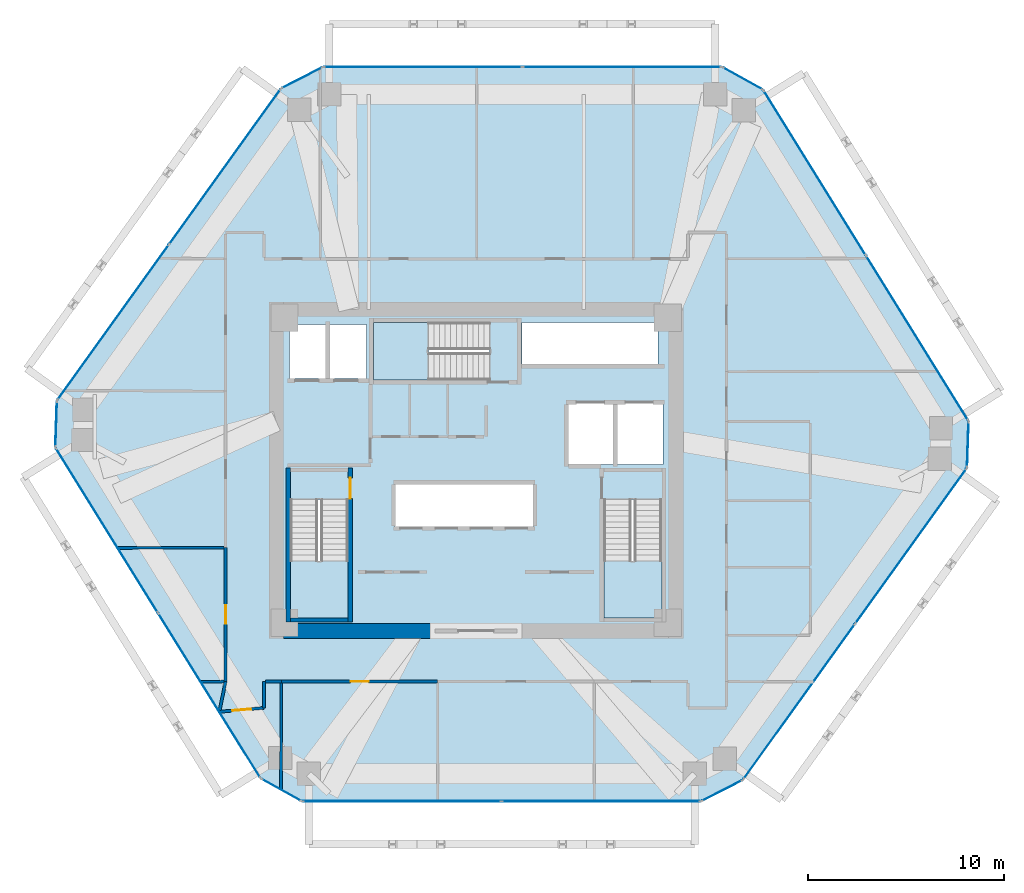
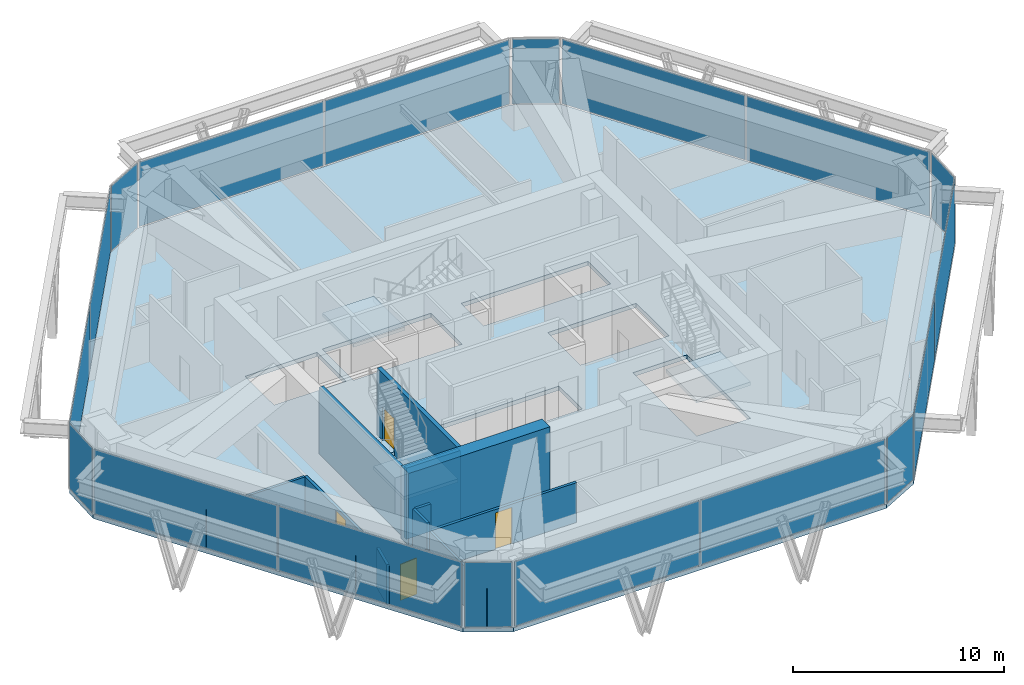
# One storey, part 9 of 14: 18 plates, 13 walls, 4 doors, 4 slabs, 4 openings, 15 elements without a shape of their own.
"""IFC4 building model written with IfcOpenShell, lengths in metres."""

from ifc_helpers import new_model, si_unit, direction, frame, frame_2d, origin, origin_2d, place, context, subcontext, project, spatial, polyline, rectangle, outline, extrude, source, transform, mapped, material, layer, layer_set, type_object, type_shapes, element, fill, aggregate, save


model = new_model("IFC4")

# Units and contexts
model_context = context("Model", 3, precision=1e-05, world=origin(), true_north=direction((0.0, 1.0)))
body_context = subcontext(model_context, "Body", "Model", "MODEL_VIEW")
ifc_project = project(units=[si_unit("LENGTHUNIT", "METRE"), si_unit("AREAUNIT", "SQUARE_METRE"), si_unit("VOLUMEUNIT", "CUBIC_METRE"), si_unit("PLANEANGLEUNIT", "RADIAN"), si_unit("MASSUNIT", "GRAM", prefix="KILO")], contexts=[model_context])

# Site, building, storey
site_placement = place(None, origin())
site = spatial("IfcSite", under=ifc_project, at=site_placement, CompositionType="ELEMENT")
building_placement = place(site_placement, origin())
building = spatial("IfcBuilding", under=site, at=building_placement, Name="Durnholm Broadcast Tower", CompositionType="ELEMENT")
storey_placement = place(building_placement, frame((0.0, 0.0, 146.10009765625)))
storey = spatial("IfcBuildingStorey", under=building, at=storey_placement, Name="L40", CompositionType="ELEMENT", Elevation=146.10009765625)

# Slab
ifc_material_1 = material(Name="Concrete C50/60", Category="concrete")
ifc_layer_1 = layer(ifc_material_1, 0.239990234375)
ifc_layer_set_1 = layer_set([ifc_layer_1], Name="Concrete C50/60")
slab_type_1 = type_object("IfcSlabType", Name="SLAB-FLR-240", PredefinedType="FLOOR", material=ifc_layer_set_1)
slab_1_placement = place(storey_placement, frame((0.0, 0.0, -0.239990234375)))
element("IfcSlab", 1, at=slab_1_placement, inside=storey, type_object=slab_type_1, Name="L40 structural floor slab", PredefinedType="FLOOR", context=body_context, shape_type="SweptSolid", body=[
    extrude(outline(polyline([(-11.012451171875, -15.77001953125), (-8.915283203125, -16.93701171875), (11.51416015625, -16.93701171875), (13.649658203125, -15.841796875), (25.11279296875, 0.114990234375), (25.1943359375, 2.513671875), (14.6904296875, 19.447998046875), (12.59326171875, 20.614990234375), (-7.836181640625, 20.614990234375), (-9.9716796875, 19.519775390625), (-21.434814453125, 3.56298828125), (-21.516357421875, 1.164306640625), (-11.012451171875, -15.77001953125)]), holes=[polyline([(-6.5400390625, -1.5), (-9.5, -1.5), (-9.5, -7.550048828125), (-6.5400390625, -7.550048828125), (-6.5400390625, -1.5)]), polyline([(9.5, -7.550048828125), (9.5, -1.5), (6.5400390625, -1.5), (6.5400390625, -7.550048828125), (9.5, -7.550048828125)]), polyline([(2.949951171875, -0.699951171875), (-4.14990234375, -0.699951171875), (-4.14990234375, -2.89990234375), (2.949951171875, -2.89990234375), (2.949951171875, -0.699951171875)]), polyline([(9.550048828125, 3.39990234375), (4.699951171875, 3.39990234375), (4.699951171875, 0.300048828125), (9.550048828125, 0.300048828125), (9.550048828125, 3.39990234375)]), polyline([(-5.60009765625, 7.449951171875), (-9.550048828125, 7.449951171875), (-9.550048828125, 4.699951171875), (-5.60009765625, 4.699951171875), (-5.60009765625, 7.449951171875)]), polyline([(-5.25, 4.60009765625), (0.699951171875, 4.60009765625), (0.699951171875, 7.56005859375), (-5.25, 7.56005859375), (-5.25, 4.60009765625)]), polyline([(9.31005859375, 7.550048828125), (2.35009765625, 7.550048828125), (2.35009765625, 5.39990234375), (9.31005859375, 5.39990234375), (9.31005859375, 7.550048828125)])]), origin(), (0.0, 0.0, 1.0), 0.239990234375),
])

# Stair, slab
stair_type = type_object("IfcStairType", Name="STAIR-DL-24R1750", PredefinedType="HALF_TURN_STAIR", material=ifc_material_1)
stair_1_placement = place(storey_placement, origin())
stair_1 = element("IfcStair", 2, at=stair_1_placement, inside=storey, type_object=stair_type, Name="L40 ST-1", PredefinedType="HALF_TURN_STAIR")
ifc_layer_2 = layer(ifc_material_1, 0.199951171875)
ifc_layer_set_2 = layer_set([ifc_layer_2], Name="Concrete C50/60")
slab_type_2 = type_object("IfcSlabType", Name="SLAB-LND-200", PredefinedType="LANDING", material=ifc_layer_set_2)
slab_2_placement = place(storey_placement, frame((0.0, 0.0, 1.89990234375)))
slab_2 = element("IfcSlab", 3, at=slab_2_placement, type_object=slab_type_2, Name="ST-1 landing 1", PredefinedType="LANDING", context=body_context, shape_type="SweptSolid", body=[
    extrude(outline(polyline([(-9.5, -4.635009765625), (-9.5, -7.550048828125), (-6.5400390625, -7.550048828125), (-6.5400390625, -4.635009765625), (-9.5, -4.635009765625)])), origin(), (0.0, 0.0, 1.0), 0.199951171875),
])
aggregate(stair_1, [slab_2])

stair_2_placement = place(storey_placement, origin())
stair_2 = element("IfcStair", 4, at=stair_2_placement, inside=storey, type_object=stair_type, Name="L40 ST-2", PredefinedType="HALF_TURN_STAIR")
slab_3_placement = place(storey_placement, frame((0.0, 0.0, 1.89990234375)))
slab_3 = element("IfcSlab", 5, at=slab_3_placement, type_object=slab_type_2, Name="ST-2 landing 1", PredefinedType="LANDING", context=body_context, shape_type="SweptSolid", body=[
    extrude(outline(polyline([(6.5400390625, -4.635009765625), (6.5400390625, -7.550048828125), (9.5, -7.550048828125), (9.5, -4.635009765625), (6.5400390625, -4.635009765625)])), origin(), (0.0, 0.0, 1.0), 0.199951171875),
])
aggregate(stair_2, [slab_3])

stair_3_placement = place(storey_placement, origin())
stair_3 = element("IfcStair", 6, at=stair_3_placement, inside=storey, type_object=stair_type, Name="L40 ST-3", PredefinedType="HALF_TURN_STAIR")
slab_4_placement = place(storey_placement, frame((0.0, 0.0, 1.89990234375)))
slab_4 = element("IfcSlab", 7, at=slab_4_placement, type_object=slab_type_2, Name="ST-3 landing 1", PredefinedType="LANDING", context=body_context, shape_type="SweptSolid", body=[
    extrude(outline(polyline([(-2.43505859375, 7.56005859375), (-5.25, 7.56005859375), (-5.25, 4.60009765625), (-2.43505859375, 4.60009765625), (-2.43505859375, 7.56005859375)])), origin(), (0.0, 0.0, 1.0), 0.199951171875),
])
aggregate(stair_3, [slab_4])

# Curtain wall, plate
ifc_material_2 = material(Name="Aluminium and Solar Control IGU", Category="aluminium")
ifc_layer_3 = layer(ifc_material_2, 0.1650390625)
ifc_layer_set_3 = layer_set([ifc_layer_3], Name="Aluminium and Solar Control IGU")
curtain_wall_type_1 = type_object("IfcCurtainWallType", Name="CW-SYS-5", PredefinedType="NOTDEFINED", material=ifc_layer_set_3)
curtain_wall_1_placement = place(storey_placement, origin())
curtain_wall_1 = element("IfcCurtainWall", 8, at=curtain_wall_1_placement, inside=storey, type_object=curtain_wall_type_1, Name="L40 curtain wall CW-CORNER CW-L40-CRN-01", PredefinedType="NOTDEFINED")
ifc_material_3 = material(Name="Low-E Laminated Insulating Glass", Category="glass")
ifc_layer_4 = layer(ifc_material_3, 0.030029296875)
ifc_layer_set_4 = layer_set([ifc_layer_4], Name="Low-E Laminated Insulating Glass")
plate_type_1 = type_object("IfcPlateType", Name="CW-SYS-5-PNL", PredefinedType="CURTAIN_PANEL", material=ifc_layer_set_4)
shared_shape_1 = source(origin(), body_context, "Body", "SweptSolid", [
    extrude(rectangle(XDim=2.27001953125, YDim=0.030029296875, at=origin_2d()), origin(), (0.0, 0.0, 1.0), 3.75),
])
type_shapes(plate_type_1, [shared_shape_1])
plate_1_placement = place(storey_placement, frame((-21.4755859375, 2.36376953125, 0.06494140625), z_axis=(0.0, 0.0, 1.0), x_axis=(0.033916937775, 0.999424655155, 0.0)))
plate_1 = element("IfcPlate", 9, at=plate_1_placement, type_object=plate_type_1, Name="CW-CORNER panel 1.1", PredefinedType="CURTAIN_PANEL", context=body_context, shape_type="MappedRepresentation", body=[
    mapped(shared_shape_1, transform((0.0, 0.0, 0.0), x_axis=(1.0, 0.0, 0.0), y_axis=(0.0, 1.0, 0.0), z_axis=(0.0, 0.0, 1.0), scale=1.0)),
])
aggregate(curtain_wall_1, [plate_1])

curtain_wall_2_placement = place(storey_placement, origin())
curtain_wall_2 = element("IfcCurtainWall", 10, at=curtain_wall_2_placement, inside=storey, type_object=curtain_wall_type_1, Name="L40 curtain wall CW-CORNER CW-L40-CRN-03", PredefinedType="NOTDEFINED")
plate_2_placement = place(storey_placement, frame((-8.904052734375, 20.0673828125, 0.06494140625), z_axis=(0.0, 0.0, 1.0), x_axis=(0.889788396392, 0.45637332267, 0.0)))
plate_2 = element("IfcPlate", 11, at=plate_2_placement, type_object=plate_type_1, Name="CW-CORNER panel 1.1", PredefinedType="CURTAIN_PANEL", context=body_context, shape_type="MappedRepresentation", body=[
    mapped(shared_shape_1, transform((0.0, 0.0, 0.0), x_axis=(1.0, 0.0, 0.0), y_axis=(0.0, 1.0, 0.0), z_axis=(0.0, 0.0, 1.0), scale=1.0)),
])
aggregate(curtain_wall_2, [plate_2])

curtain_wall_3_placement = place(storey_placement, origin())
curtain_wall_3 = element("IfcCurtainWall", 12, at=curtain_wall_3_placement, inside=storey, type_object=curtain_wall_type_1, Name="L40 curtain wall CW-CORNER CW-L40-CRN-05", PredefinedType="NOTDEFINED")
plate_3_placement = place(storey_placement, frame((13.641845703125, 20.031494140625, 0.06494140625), z_axis=(0.0, 0.0, 1.0), x_axis=(0.873822953715, -0.486244224192, 0.0)))
plate_3 = element("IfcPlate", 13, at=plate_3_placement, type_object=plate_type_1, Name="CW-CORNER panel 1.1", PredefinedType="CURTAIN_PANEL", context=body_context, shape_type="MappedRepresentation", body=[
    mapped(shared_shape_1, transform((0.0, 0.0, 0.0), x_axis=(1.0, 0.0, 0.0), y_axis=(0.0, 1.0, 0.0), z_axis=(0.0, 0.0, 1.0), scale=1.0)),
])
aggregate(curtain_wall_3, [plate_3])

curtain_wall_4_placement = place(storey_placement, origin())
curtain_wall_4 = element("IfcCurtainWall", 14, at=curtain_wall_4_placement, inside=storey, type_object=curtain_wall_type_1, Name="L40 curtain wall CW-CORNER CW-L40-CRN-07", PredefinedType="NOTDEFINED")
plate_4_placement = place(storey_placement, frame((25.153564453125, 1.314208984375, 0.06494140625), z_axis=(0.0, 0.0, 1.0), x_axis=(-0.033916937775, -0.999424655155, 0.0)))
plate_4 = element("IfcPlate", 15, at=plate_4_placement, type_object=plate_type_1, Name="CW-CORNER panel 1.1", PredefinedType="CURTAIN_PANEL", context=body_context, shape_type="MappedRepresentation", body=[
    mapped(shared_shape_1, transform((0.0, 0.0, 0.0), x_axis=(1.0, 0.0, 0.0), y_axis=(0.0, 1.0, 0.0), z_axis=(0.0, 0.0, 1.0), scale=1.0)),
])
aggregate(curtain_wall_4, [plate_4])

curtain_wall_5_placement = place(storey_placement, origin())
curtain_wall_5 = element("IfcCurtainWall", 16, at=curtain_wall_5_placement, inside=storey, type_object=curtain_wall_type_1, Name="L40 curtain wall CW-CORNER CW-L40-CRN-09", PredefinedType="NOTDEFINED")
plate_5_placement = place(storey_placement, frame((12.58203125, -16.389404296875, 0.06494140625), z_axis=(0.0, 0.0, 1.0), x_axis=(-0.889788396392, -0.45637332267, 0.0)))
plate_5 = element("IfcPlate", 17, at=plate_5_placement, type_object=plate_type_1, Name="CW-CORNER panel 1.1", PredefinedType="CURTAIN_PANEL", context=body_context, shape_type="MappedRepresentation", body=[
    mapped(shared_shape_1, transform((0.0, 0.0, 0.0), x_axis=(1.0, 0.0, 0.0), y_axis=(0.0, 1.0, 0.0), z_axis=(0.0, 0.0, 1.0), scale=1.0)),
])
aggregate(curtain_wall_5, [plate_5])

curtain_wall_6_placement = place(storey_placement, origin())
curtain_wall_6 = element("IfcCurtainWall", 18, at=curtain_wall_6_placement, inside=storey, type_object=curtain_wall_type_1, Name="L40 curtain wall CW-CORNER CW-L40-CRN-11", PredefinedType="NOTDEFINED")
plate_6_placement = place(storey_placement, frame((-9.9638671875, -16.353515625, 0.06494140625), z_axis=(0.0, 0.0, 1.0), x_axis=(-0.873822953715, 0.486244224192, 0.0)))
plate_6 = element("IfcPlate", 19, at=plate_6_placement, type_object=plate_type_1, Name="CW-CORNER panel 1.1", PredefinedType="CURTAIN_PANEL", context=body_context, shape_type="MappedRepresentation", body=[
    mapped(shared_shape_1, transform((0.0, 0.0, 0.0), x_axis=(1.0, 0.0, 0.0), y_axis=(0.0, 1.0, 0.0), z_axis=(0.0, 0.0, 1.0), scale=1.0)),
])
aggregate(curtain_wall_6, [plate_6])

# Curtain wall, plates
ifc_layer_5 = layer(ifc_material_2, 0.18994140625)
ifc_layer_set_5 = layer_set([ifc_layer_5], Name="Aluminium and Solar Control IGU")
curtain_wall_type_2 = type_object("IfcCurtainWallType", Name="CW-SYS-3", PredefinedType="NOTDEFINED", material=ifc_layer_set_5)
curtain_wall_7_placement = place(storey_placement, origin())
curtain_wall_7 = element("IfcCurtainWall", 20, at=curtain_wall_7_placement, inside=storey, type_object=curtain_wall_type_2, Name="L40 curtain wall CW-Z12-VIS CW-L40-F02", PredefinedType="NOTDEFINED")
ifc_layer_6 = layer(ifc_material_3, 0.031982421875)
ifc_layer_set_6 = layer_set([ifc_layer_6], Name="Low-E Laminated Insulating Glass")
plate_type_2 = type_object("IfcPlateType", Name="CW-SYS-3-PNL", PredefinedType="CURTAIN_PANEL", material=ifc_layer_set_6)
shared_shape_2 = source(origin(), body_context, "Body", "SweptSolid", [
    extrude(rectangle(XDim=9.71875, YDim=0.031982421875, at=origin_2d()), origin(), (0.0, 0.0, 1.0), 3.739990234375),
])
plate_7_placement = place(storey_placement, frame((-18.558837890625, 7.56640625, 0.06982421875), z_axis=(0.0, 0.0, 1.0), x_axis=(0.583445473786, 0.812152312759, 0.0)))
plate_7 = element("IfcPlate", 21, at=plate_7_placement, type_object=plate_type_2, Name="CW-Z12-VIS panel 1.1", PredefinedType="CURTAIN_PANEL", context=body_context, shape_type="MappedRepresentation", body=[
    mapped(shared_shape_2, transform((0.0, 0.0, 0.0), x_axis=(1.0, 0.0, 0.0), y_axis=(0.0, 1.0, 0.0), z_axis=(0.0, 0.0, 1.0), scale=1.0)),
])
plate_8_placement = place(storey_placement, frame((-12.84765625, 15.516357421875, 0.06982421875), z_axis=(0.0, 0.0, 1.0), x_axis=(0.583445473786, 0.812152312759, 0.0)))
plate_8 = element("IfcPlate", 22, at=plate_8_placement, type_object=plate_type_2, Name="CW-Z12-VIS panel 2.1", PredefinedType="CURTAIN_PANEL", context=body_context, shape_type="MappedRepresentation", body=[
    mapped(shared_shape_2, transform((0.0, 0.0, 0.0), x_axis=(1.0, 0.0, 0.0), y_axis=(0.0, 1.0, 0.0), z_axis=(0.0, 0.0, 1.0), scale=1.0)),
])
aggregate(curtain_wall_7, [plate_7, plate_8])

curtain_wall_8_placement = place(storey_placement, origin())
curtain_wall_8 = element("IfcCurtainWall", 23, at=curtain_wall_8_placement, inside=storey, type_object=curtain_wall_type_2, Name="L40 curtain wall CW-Z12-VIS CW-L40-F08", PredefinedType="NOTDEFINED")
plate_9_placement = place(storey_placement, frame((22.23681640625, -3.888427734375, 0.06982421875), z_axis=(0.0, 0.0, 1.0), x_axis=(-0.583445473786, -0.812152312759, 0.0)))
plate_9 = element("IfcPlate", 24, at=plate_9_placement, type_object=plate_type_2, Name="CW-Z12-VIS panel 1.1", PredefinedType="CURTAIN_PANEL", context=body_context, shape_type="MappedRepresentation", body=[
    mapped(shared_shape_2, transform((0.0, 0.0, 0.0), x_axis=(1.0, 0.0, 0.0), y_axis=(0.0, 1.0, 0.0), z_axis=(0.0, 0.0, 1.0), scale=1.0)),
])
plate_10_placement = place(storey_placement, frame((16.525634765625, -11.83837890625, 0.06982421875), z_axis=(0.0, 0.0, 1.0), x_axis=(-0.583445473786, -0.812152312759, 0.0)))
plate_10 = element("IfcPlate", 25, at=plate_10_placement, type_object=plate_type_2, Name="CW-Z12-VIS panel 2.1", PredefinedType="CURTAIN_PANEL", context=body_context, shape_type="MappedRepresentation", body=[
    mapped(shared_shape_2, transform((0.0, 0.0, 0.0), x_axis=(1.0, 0.0, 0.0), y_axis=(0.0, 1.0, 0.0), z_axis=(0.0, 0.0, 1.0), scale=1.0)),
])
aggregate(curtain_wall_8, [plate_9, plate_10])

curtain_wall_9_placement = place(storey_placement, origin())
curtain_wall_9 = element("IfcCurtainWall", 26, at=curtain_wall_9_placement, inside=storey, type_object=curtain_wall_type_2, Name="L40 curtain wall CW-Z12-VIS CW-L40-F04", PredefinedType="NOTDEFINED")
shared_shape_3 = source(origin(), body_context, "Body", "SweptSolid", [
    extrude(rectangle(XDim=10.109619140625, YDim=0.031982421875, at=origin_2d()), origin(), (0.0, 0.0, 1.0), 3.739990234375),
])
plate_11_placement = place(storey_placement, frame((-2.71142578125, 20.614990234375, 0.06982421875), z_axis=(0.0, 0.0, 1.0), x_axis=(1.0, 0.0, 0.0)))
plate_11 = element("IfcPlate", 27, at=plate_11_placement, type_object=plate_type_2, Name="CW-Z12-VIS panel 1.1", PredefinedType="CURTAIN_PANEL", context=body_context, shape_type="MappedRepresentation", body=[
    mapped(shared_shape_3, transform((0.0, 0.0, 0.0), x_axis=(1.0, 0.0, 0.0), y_axis=(0.0, 1.0, 0.0), z_axis=(0.0, 0.0, 1.0), scale=1.0)),
])
plate_12_placement = place(storey_placement, frame((7.46826171875, 20.614990234375, 0.06982421875), z_axis=(0.0, 0.0, 1.0), x_axis=(1.0, 0.0, 0.0)))
plate_12 = element("IfcPlate", 28, at=plate_12_placement, type_object=plate_type_2, Name="CW-Z12-VIS panel 2.1", PredefinedType="CURTAIN_PANEL", context=body_context, shape_type="MappedRepresentation", body=[
    mapped(shared_shape_3, transform((0.0, 0.0, 0.0), x_axis=(1.0, 0.0, 0.0), y_axis=(0.0, 1.0, 0.0), z_axis=(0.0, 0.0, 1.0), scale=1.0)),
])
aggregate(curtain_wall_9, [plate_11, plate_12])

curtain_wall_10_placement = place(storey_placement, origin())
curtain_wall_10 = element("IfcCurtainWall", 29, at=curtain_wall_10_placement, inside=storey, type_object=curtain_wall_type_2, Name="L40 curtain wall CW-Z12-VIS CW-L40-F10", PredefinedType="NOTDEFINED")
plate_13_placement = place(storey_placement, frame((6.389404296875, -16.93701171875, 0.06982421875), z_axis=(0.0, 0.0, 1.0), x_axis=(-1.0, 0.0, 0.0)))
plate_13 = element("IfcPlate", 30, at=plate_13_placement, type_object=plate_type_2, Name="CW-Z12-VIS panel 1.1", PredefinedType="CURTAIN_PANEL", context=body_context, shape_type="MappedRepresentation", body=[
    mapped(shared_shape_3, transform((0.0, 0.0, 0.0), x_axis=(1.0, 0.0, 0.0), y_axis=(0.0, 1.0, 0.0), z_axis=(0.0, 0.0, 1.0), scale=1.0)),
])
plate_14_placement = place(storey_placement, frame((-3.790283203125, -16.93701171875, 0.06982421875), z_axis=(0.0, 0.0, 1.0), x_axis=(-1.0, 0.0, 0.0)))
plate_14 = element("IfcPlate", 31, at=plate_14_placement, type_object=plate_type_2, Name="CW-Z12-VIS panel 2.1", PredefinedType="CURTAIN_PANEL", context=body_context, shape_type="MappedRepresentation", body=[
    mapped(shared_shape_3, transform((0.0, 0.0, 0.0), x_axis=(1.0, 0.0, 0.0), y_axis=(0.0, 1.0, 0.0), z_axis=(0.0, 0.0, 1.0), scale=1.0)),
])
aggregate(curtain_wall_10, [plate_13, plate_14])

curtain_wall_11_placement = place(storey_placement, origin())
curtain_wall_11 = element("IfcCurtainWall", 32, at=curtain_wall_11_placement, inside=storey, type_object=curtain_wall_type_2, Name="L40 curtain wall CW-Z12-VIS CW-L40-F06", PredefinedType="NOTDEFINED")
shared_shape_4 = source(origin(), body_context, "Body", "SweptSolid", [
    extrude(rectangle(XDim=9.858642578125, YDim=0.031982421875, at=origin_2d()), origin(), (0.0, 0.0, 1.0), 3.739990234375),
])
type_shapes(plate_type_2, [shared_shape_2, shared_shape_3, shared_shape_4])
plate_15_placement = place(storey_placement, frame((17.32568359375, 15.199462890625, 0.06982421875), z_axis=(0.0, 0.0, 1.0), x_axis=(0.527105385176, -0.849799925229, 0.0)))
plate_15 = element("IfcPlate", 33, at=plate_15_placement, type_object=plate_type_2, Name="CW-Z12-VIS panel 1.1", PredefinedType="CURTAIN_PANEL", context=body_context, shape_type="MappedRepresentation", body=[
    mapped(shared_shape_4, transform((0.0, 0.0, 0.0), x_axis=(1.0, 0.0, 0.0), y_axis=(0.0, 1.0, 0.0), z_axis=(0.0, 0.0, 1.0), scale=1.0)),
])
plate_16_placement = place(storey_placement, frame((22.55908203125, 6.761962890625, 0.06982421875), z_axis=(0.0, 0.0, 1.0), x_axis=(0.527105385176, -0.849799925229, 0.0)))
plate_16 = element("IfcPlate", 34, at=plate_16_placement, type_object=plate_type_2, Name="CW-Z12-VIS panel 2.1", PredefinedType="CURTAIN_PANEL", context=body_context, shape_type="MappedRepresentation", body=[
    mapped(shared_shape_4, transform((0.0, 0.0, 0.0), x_axis=(1.0, 0.0, 0.0), y_axis=(0.0, 1.0, 0.0), z_axis=(0.0, 0.0, 1.0), scale=1.0)),
])
aggregate(curtain_wall_11, [plate_15, plate_16])

curtain_wall_12_placement = place(storey_placement, origin())
curtain_wall_12 = element("IfcCurtainWall", 35, at=curtain_wall_12_placement, inside=storey, type_object=curtain_wall_type_2, Name="L40 curtain wall CW-Z12-VIS CW-L40-F12", PredefinedType="NOTDEFINED")
plate_17_placement = place(storey_placement, frame((-13.647705078125, -11.521484375, 0.06982421875), z_axis=(0.0, 0.0, 1.0), x_axis=(-0.527105385176, 0.849799925229, 0.0)))
plate_17 = element("IfcPlate", 36, at=plate_17_placement, type_object=plate_type_2, Name="CW-Z12-VIS panel 1.1", PredefinedType="CURTAIN_PANEL", context=body_context, shape_type="MappedRepresentation", body=[
    mapped(shared_shape_4, transform((0.0, 0.0, 0.0), x_axis=(1.0, 0.0, 0.0), y_axis=(0.0, 1.0, 0.0), z_axis=(0.0, 0.0, 1.0), scale=1.0)),
])
plate_18_placement = place(storey_placement, frame((-18.881103515625, -3.083984375, 0.06982421875), z_axis=(0.0, 0.0, 1.0), x_axis=(-0.527105385176, 0.849799925229, 0.0)))
plate_18 = element("IfcPlate", 37, at=plate_18_placement, type_object=plate_type_2, Name="CW-Z12-VIS panel 2.1", PredefinedType="CURTAIN_PANEL", context=body_context, shape_type="MappedRepresentation", body=[
    mapped(shared_shape_4, transform((0.0, 0.0, 0.0), x_axis=(1.0, 0.0, 0.0), y_axis=(0.0, 1.0, 0.0), z_axis=(0.0, 0.0, 1.0), scale=1.0)),
])
aggregate(curtain_wall_12, [plate_17, plate_18])

# Walls
ifc_material_4 = material(Name="Concrete C70/85", Category="concrete")
ifc_layer_7 = layer(ifc_material_4, 0.75)
ifc_layer_set_7 = layer_set([ifc_layer_7], Name="Concrete C70/85")
wall_type_1 = type_object("IfcWallType", Name="WALL-CW-750", PredefinedType="SHEAR", material=ifc_layer_set_7)
wall_1_placement = place(storey_placement, frame((-9.85009765625, -8.22509765625, 0.0), z_axis=(0.0, 0.0, 1.0), x_axis=(1.0, 0.0, 0.0)))
element("IfcWall", 38, at=wall_1_placement, inside=storey, type_object=wall_type_1, Name="L40 central core shear wall CW-S1", PredefinedType="SHEAR", context=body_context, shape_type="SweptSolid", body=[
    extrude(rectangle(XDim=7.75, YDim=0.75, at=frame_2d((3.875, 0.0))), origin(), (0.0, 0.0, 1.0), 4.199951171875),
])
ifc_material_5 = material(Name="Gypsum Metal Stud Partition", Category="concrete")
ifc_layer_8 = layer(ifc_material_5, 0.135009765625)
ifc_layer_set_8 = layer_set([ifc_layer_8], Name="Gypsum Metal Stud Partition")
wall_type_2 = type_object("IfcWallType", Name="WALL-PART-135", PredefinedType="PARTITIONING", material=ifc_layer_set_8)
wall_2_placement = place(storey_placement, frame((-9.960205078125, -10.888916015625, 0.0), z_axis=(0.0, 0.0, 1.0), x_axis=(-0.003535128042, -0.999993751415, 0.0)))
element("IfcWall", 39, at=wall_2_placement, inside=storey, type_object=wall_type_2, Name="L40 room dividing partition 14.15", PredefinedType="PARTITIONING", context=body_context, shape_type="SweptSolid", body=[
    extrude(rectangle(XDim=5.455810546875, YDim=0.135009765625, at=frame_2d((2.72802734375, 0.0))), origin(), (0.0, 0.0, 1.0), 2.2998046875),
])
wall_3_placement = place(storey_placement, frame((-14.075927734375, -10.8310546875, 0.0), z_axis=(0.0, 0.0, 1.0), x_axis=(0.999860796611, 0.016684945308, 0.0)))
element("IfcWall", 40, at=wall_3_placement, inside=storey, type_object=wall_type_2, Name="L40 room dividing partition 14.18", PredefinedType="PARTITIONING", context=body_context, shape_type="SweptSolid", body=[
    extrude(rectangle(XDim=1.185302734375, YDim=0.135009765625, at=frame_2d((0.5927734375, 0.0))), origin(), (0.0, 0.0, 1.0), 2.2998046875),
])
wall_4_placement = place(storey_placement, frame((-18.32470703125, -3.981201171875, 0.0), z_axis=(0.0, 0.0, 1.0), x_axis=(0.999992540381, 0.00386253575, 0.0)))
element("IfcWall", 41, at=wall_4_placement, inside=storey, type_object=wall_type_2, Name="L40 room dividing partition 18.19", PredefinedType="PARTITIONING", context=body_context, shape_type="SweptSolid", body=[
    extrude(rectangle(XDim=5.435791015625, YDim=0.135009765625, at=frame_2d((2.7177734375, 0.0))), origin(), (0.0, 0.0, 1.0), 2.2998046875),
])

# Wall, opening, door
ifc_material_6 = material(Name="Acoustic Gypsum Stud Partition", Category="concrete")
ifc_layer_9 = layer(ifc_material_6, 0.14990234375)
ifc_layer_set_9 = layer_set([ifc_layer_9], Name="Acoustic Gypsum Stud Partition")
wall_type_3 = type_object("IfcWallType", Name="WALL-PART-150", PredefinedType="PARTITIONING", material=ifc_layer_set_9)
wall_5_placement = place(storey_placement, frame((-13.12890625, -12.35791015625, 0.0), z_axis=(0.0, 0.0, 1.0), x_axis=(0.996279168698, 0.086184789953, 0.0)))
wall_5 = element("IfcWall", 42, at=wall_5_placement, inside=storey, type_object=wall_type_3, Name="L40 IP Counsel Office corridor partition", PredefinedType="PARTITIONING", context=body_context, shape_type="SweptSolid", body=[
    extrude(rectangle(XDim=2.29736328125, YDim=0.14990234375, at=frame_2d((1.148681640625, 0.0))), origin(), (0.0, 0.0, 1.0), 2.2998046875),
])
opening_1_placement = place(wall_5_placement, frame((0.673583984375, 0.0, 0.0)))
opening_1 = element("IfcOpeningElement", 43, at=opening_1_placement, cuts=wall_5, Name="Opening DR-95L", PredefinedType="OPENING", context=body_context, shape_type="SweptSolid", body=[
    extrude(rectangle(XDim=0.949951171875, YDim=2.10009765625, at=frame_2d((0.47509765625, 1.050048828125))), frame((0.0, 0.0849609375, 0.0), z_axis=(0.0, -1.0, 0.0), x_axis=(1.0, 0.0, 0.0)), (0.0, 0.0, 1.0), 0.169921875),
])
ifc_material_7 = material(Name="Acoustic Oak Veneer Timber Door", Category="wood")
ifc_layer_10 = layer(ifc_material_7, 0.050048828125)
ifc_layer_set_10 = layer_set([ifc_layer_10], Name="Acoustic Oak Veneer Timber Door")
door_type_1 = type_object("IfcDoorType", Name="DOOR-RM-950L", OperationType="NOTDEFINED", PredefinedType="DOOR", material=ifc_layer_set_10)
shared_shape_5 = source(origin(), body_context, "Body", "SweptSolid", [
    extrude(rectangle(XDim=0.949951171875, YDim=2.10009765625, at=frame_2d((0.47509765625, 1.050048828125))), frame((0.0, 0.02490234375, 0.0), z_axis=(0.0, -1.0, 0.0), x_axis=(1.0, 0.0, 0.0)), (0.0, 0.0, 1.0), 0.050048828125),
])
type_shapes(door_type_1, [shared_shape_5])
door_1_placement = place(opening_1_placement, origin())
door_1 = element("IfcDoor", 44, at=door_1_placement, inside=storey, type_object=door_type_1, Name="L40 IP Counsel Office entrance door", OperationType="SINGLE_SWING_LEFT", OverallHeight=2.10009765625, OverallWidth=0.949951171875, PredefinedType="DOOR", context=body_context, shape_type="MappedRepresentation", body=[
    mapped(shared_shape_5, transform((0.0, 0.0, 0.0), x_axis=(1.0, 0.0, 0.0), y_axis=(0.0, 1.0, 0.0), z_axis=(0.0, 0.0, 1.0), scale=1.0)),
])
fill(opening_1, door_1)

# Walls
wall_6_placement = place(storey_placement, frame((-12.81005859375, -10.81005859375, 0.0), z_axis=(0.0, 0.0, 1.0), x_axis=(-0.201786289638, -0.979429575474, 0.0)))
element("IfcWall", 45, at=wall_6_placement, inside=storey, type_object=wall_type_3, Name="L40 IP Counsel Office corridor partition", PredefinedType="PARTITIONING", context=body_context, shape_type="SweptSolid", body=[
    extrude(rectangle(XDim=1.497802734375, YDim=0.14990234375, at=frame_2d((0.7490234375, 0.0))), origin(), (0.0, 0.0, 1.0), 2.2998046875),
])
wall_7_placement = place(storey_placement, frame((-10.840087890625, -12.159912109375, 0.0), z_axis=(0.0, 0.0, 1.0), x_axis=(0.0, 1.0, 0.0)))
element("IfcWall", 46, at=wall_7_placement, inside=storey, type_object=wall_type_3, Name="L40 IP Counsel Office corridor partition", PredefinedType="PARTITIONING", context=body_context, shape_type="SweptSolid", body=[
    extrude(rectangle(XDim=1.349853515625, YDim=0.14990234375, at=frame_2d((0.6748046875, 0.0))), origin(), (0.0, 0.0, 1.0), 3.864990234375),
])
wall_8_placement = place(storey_placement, frame((-10.760986328125, -10.81005859375, 0.0), z_axis=(0.0, 0.0, 1.0), x_axis=(1.0, 0.0, 0.0)))
element("IfcWall", 47, at=wall_8_placement, inside=storey, type_object=wall_type_3, Name="L40 IP Counsel Office corridor partition", PredefinedType="PARTITIONING", context=body_context, shape_type="SweptSolid", body=[
    extrude(rectangle(XDim=0.801025390625, YDim=0.14990234375, at=frame_2d((0.400390625, 0.0))), origin(), (0.0, 0.0, 1.0), 3.864990234375),
])

# Wall, opening, door
wall_9_placement = place(storey_placement, frame((-9.9599609375, -10.81005859375, 0.0), z_axis=(0.0, 0.0, 1.0), x_axis=(1.0, 0.0, 0.0)))
wall_9 = element("IfcWall", 48, at=wall_9_placement, inside=storey, type_object=wall_type_3, Name="L40 Deposition Meeting Room corridor partition", PredefinedType="PARTITIONING", context=body_context, shape_type="SweptSolid", body=[
    extrude(rectangle(XDim=8.0, YDim=0.14990234375, at=frame_2d((4.0, 0.0))), origin(), (0.0, 0.0, 1.0), 2.2998046875),
])
opening_2_placement = place(wall_9_placement, frame((3.5400390625, 0.0, 0.0)))
opening_2 = element("IfcOpeningElement", 49, at=opening_2_placement, cuts=wall_9, Name="Opening DR-92R", PredefinedType="OPENING", context=body_context, shape_type="SweptSolid", body=[
    extrude(rectangle(XDim=0.919921875, YDim=2.10009765625, at=frame_2d((0.4599609375, 1.050048828125))), frame((0.0, 0.0849609375, 0.0), z_axis=(0.0, -1.0, 0.0), x_axis=(1.0, 0.0, 0.0)), (0.0, 0.0, 1.0), 0.169921875),
])
ifc_material_8 = material(Name="Oak Veneer Office Door", Category="wood")
ifc_layer_11 = layer(ifc_material_8, 0.050048828125)
ifc_layer_set_11 = layer_set([ifc_layer_11], Name="Oak Veneer Office Door")
door_type_2 = type_object("IfcDoorType", Name="DOOR-RM-920R", OperationType="NOTDEFINED", PredefinedType="DOOR", material=ifc_layer_set_11)
shared_shape_6 = source(origin(), body_context, "Body", "SweptSolid", [
    extrude(rectangle(XDim=0.919921875, YDim=2.10009765625, at=frame_2d((0.4599609375, 1.050048828125))), frame((0.0, 0.02490234375, 0.0), z_axis=(0.0, -1.0, 0.0), x_axis=(1.0, 0.0, 0.0)), (0.0, 0.0, 1.0), 0.050048828125),
])
type_shapes(door_type_2, [shared_shape_6])
door_2_placement = place(opening_2_placement, origin())
door_2 = element("IfcDoor", 50, at=door_2_placement, inside=storey, type_object=door_type_2, Name="L40 Deposition Meeting Room entrance door", OperationType="SINGLE_SWING_RIGHT", OverallHeight=2.10009765625, OverallWidth=0.919921875, PredefinedType="DOOR", context=body_context, shape_type="MappedRepresentation", body=[
    mapped(shared_shape_6, transform((0.0, 0.0, 0.0), x_axis=(1.0, 0.0, 0.0), y_axis=(0.0, 1.0, 0.0), z_axis=(0.0, 0.0, 1.0), scale=1.0)),
])
fill(opening_2, door_2)

wall_10_placement = place(storey_placement, frame((-12.81005859375, -3.9599609375, 0.0), z_axis=(0.0, 0.0, 1.0), x_axis=(0.0, -1.0, 0.0)))
wall_10 = element("IfcWall", 51, at=wall_10_placement, inside=storey, type_object=wall_type_3, Name="L40 Compliance Office 1 corridor partition", PredefinedType="PARTITIONING", context=body_context, shape_type="SweptSolid", body=[
    extrude(rectangle(XDim=6.85009765625, YDim=0.14990234375, at=frame_2d((3.425048828125, 0.0))), origin(), (0.0, 0.0, 1.0), 2.2998046875),
])
opening_3_placement = place(wall_10_placement, frame((2.949951171875, 0.0, 0.0)))
opening_3 = element("IfcOpeningElement", 52, at=opening_3_placement, cuts=wall_10, Name="Opening DR-95L", PredefinedType="OPENING", context=body_context, shape_type="SweptSolid", body=[
    extrude(rectangle(XDim=0.949951171875, YDim=2.10009765625, at=frame_2d((0.47509765625, 1.050048828125))), frame((0.0, 0.0849609375, 0.0), z_axis=(0.0, -1.0, 0.0), x_axis=(1.0, 0.0, 0.0)), (0.0, 0.0, 1.0), 0.169921875),
])
door_3_placement = place(opening_3_placement, origin())
door_3 = element("IfcDoor", 53, at=door_3_placement, inside=storey, type_object=door_type_1, Name="L40 Compliance Office 1 entrance door", OperationType="SINGLE_SWING_LEFT", OverallHeight=2.10009765625, OverallWidth=0.949951171875, PredefinedType="DOOR", context=body_context, shape_type="MappedRepresentation", body=[
    mapped(shared_shape_5, transform((0.0, 0.0, 0.0), x_axis=(1.0, 0.0, 0.0), y_axis=(0.0, 1.0, 0.0), z_axis=(0.0, 0.0, 1.0), scale=1.0)),
])
fill(opening_3, door_3)

ifc_layer_12 = layer(ifc_material_1, 0.219970703125)
ifc_layer_set_12 = layer_set([ifc_layer_12], Name="Concrete C50/60")
wall_type_4 = type_object("IfcWallType", Name="WALL-SW-220", PredefinedType="SHEAR", material=ifc_layer_set_12)
wall_11_placement = place(storey_placement, frame((-6.429931640625, -7.77001953125, -0.239990234375), z_axis=(0.0, 0.0, 1.0), x_axis=(0.0, 1.0, 0.0)))
wall_11 = element("IfcWall", 54, at=wall_11_placement, inside=storey, type_object=wall_type_4, Name="L40 stair ST-1 structural shaft wall E", PredefinedType="SHEAR", context=body_context, shape_type="SweptSolid", body=[
    extrude(rectangle(XDim=7.89013671875, YDim=0.219970703125, at=frame_2d((3.945068359375, 0.0))), origin(), (0.0, 0.0, 1.0), 4.119873046875),
])
opening_4_placement = place(wall_11_placement, frame((6.320068359375, 0.0, 0.0)))
opening_4 = element("IfcOpeningElement", 55, at=opening_4_placement, cuts=wall_11, Name="Opening DS-90L", PredefinedType="OPENING", context=body_context, shape_type="SweptSolid", body=[
    extrude(rectangle(XDim=1.050048828125, YDim=2.14990234375, at=frame_2d((0.52490234375, 1.074951171875))), frame((0.0, 0.1201171875, 0.0), z_axis=(0.0, -1.0, 0.0), x_axis=(1.0, 0.0, 0.0)), (0.0, 0.0, 1.0), 0.239990234375),
])
ifc_material_9 = material(Name="Fire-Rated Steel Door", Category="steel")
ifc_layer_13 = layer(ifc_material_9, 0.050048828125)
ifc_layer_set_13 = layer_set([ifc_layer_13], Name="Fire-Rated Steel Door")
door_type_3 = type_object("IfcDoorType", Name="DOOR-ST-FD90-L", OperationType="NOTDEFINED", PredefinedType="DOOR", material=ifc_layer_set_13)
shared_shape_7 = source(origin(), body_context, "Body", "SweptSolid", [
    extrude(rectangle(XDim=1.050048828125, YDim=2.14990234375, at=frame_2d((0.52490234375, 1.074951171875))), frame((0.0, 0.02490234375, 0.0), z_axis=(0.0, -1.0, 0.0), x_axis=(1.0, 0.0, 0.0)), (0.0, 0.0, 1.0), 0.050048828125),
])
type_shapes(door_type_3, [shared_shape_7])
door_4_placement = place(opening_4_placement, origin())
door_4 = element("IfcDoor", 56, at=door_4_placement, inside=storey, type_object=door_type_3, Name="L40 exit stair ST-1 fire door", OperationType="SINGLE_SWING_LEFT", OverallHeight=2.14990234375, OverallWidth=1.050048828125, PredefinedType="DOOR", context=body_context, shape_type="MappedRepresentation", body=[
    mapped(shared_shape_7, transform((0.0, 0.0, 0.0), x_axis=(1.0, 0.0, 0.0), y_axis=(0.0, 1.0, 0.0), z_axis=(0.0, 0.0, 1.0), scale=1.0)),
])
fill(opening_4, door_4)

# Walls
wall_12_placement = place(storey_placement, frame((-9.610107421875, 0.1201171875, -0.239990234375), z_axis=(0.0, 0.0, 1.0), x_axis=(0.0, -1.0, 0.0)))
element("IfcWall", 57, at=wall_12_placement, inside=storey, type_object=wall_type_4, Name="L40 stair ST-1 structural shaft wall W", PredefinedType="SHEAR", context=body_context, shape_type="SweptSolid", body=[
    extrude(rectangle(XDim=7.89013671875, YDim=0.219970703125, at=frame_2d((3.945068359375, 0.0))), origin(), (0.0, 0.0, 1.0), 4.119873046875),
])
wall_13_placement = place(storey_placement, frame((-9.5, -7.659912109375, -0.239990234375), z_axis=(0.0, 0.0, 1.0), x_axis=(1.0, 0.0, 0.0)))
element("IfcWall", 58, at=wall_13_placement, inside=storey, type_object=wall_type_4, Name="L40 stair ST-1 structural shaft wall S", PredefinedType="SHEAR", context=body_context, shape_type="SweptSolid", body=[
    extrude(rectangle(XDim=2.9599609375, YDim=0.219970703125, at=frame_2d((1.47998046875, 0.0))), origin(), (0.0, 0.0, 1.0), 4.119873046875),
])

save(model, "model.ifc")
